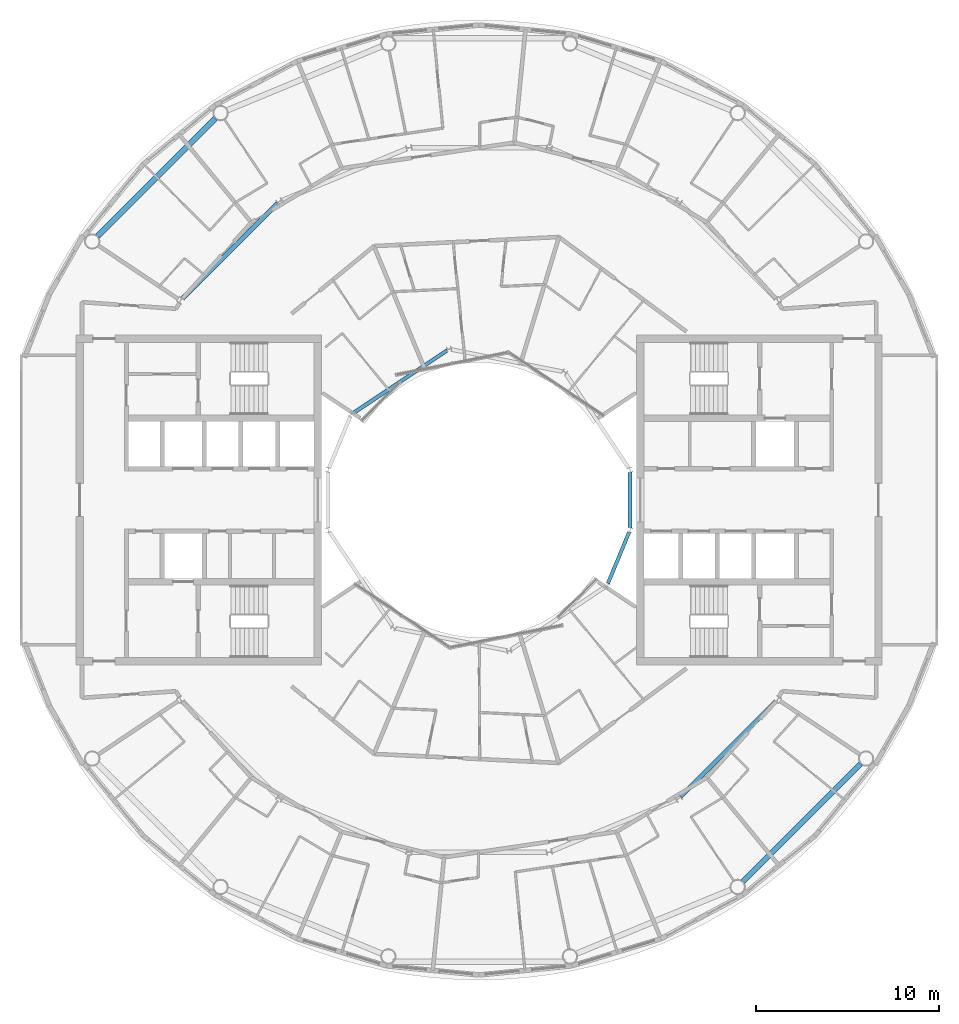
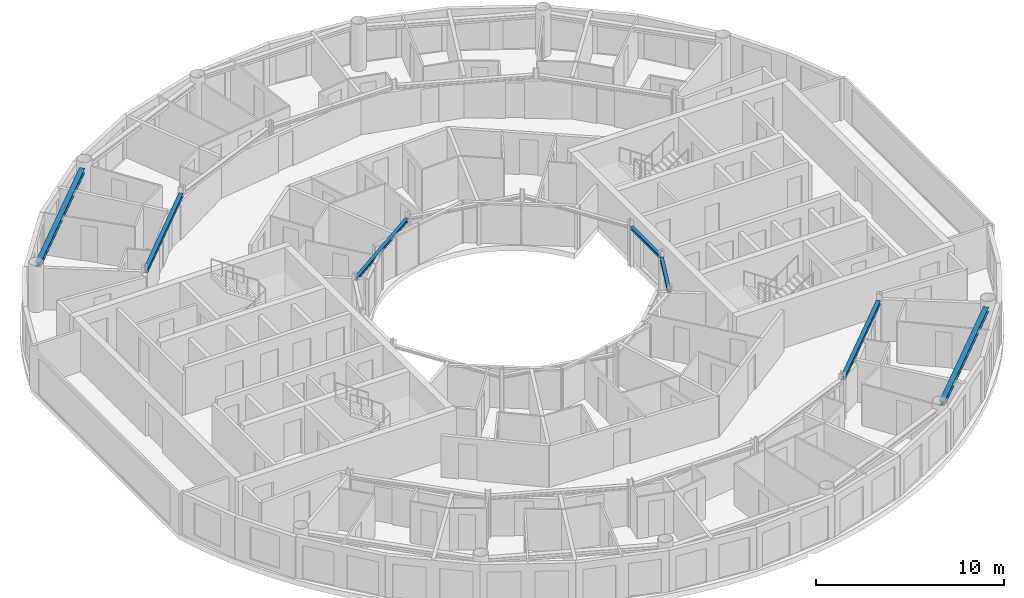
# One storey, part 8 of 22: 7 beams.
"""IFC4 building model written with IfcOpenShell, lengths in metres."""

from ifc_helpers import new_model, si_unit, direction, frame, origin, origin_2d, place, context, subcontext, project, spatial, i_section, extrude, material, material_profile, profile_set, type_object, element, save


model = new_model("IFC4")

# Units and contexts
model_context = context("Model", 3, precision=1e-05, world=origin(), true_north=direction((0.0, 1.0)))
body_context = subcontext(model_context, "Body", "Model", "MODEL_VIEW")
ifc_project = project(units=[si_unit("LENGTHUNIT", "METRE"), si_unit("AREAUNIT", "SQUARE_METRE"), si_unit("VOLUMEUNIT", "CUBIC_METRE"), si_unit("PLANEANGLEUNIT", "RADIAN"), si_unit("MASSUNIT", "GRAM", prefix="KILO")], contexts=[model_context])

# Site, building, storey
site_placement = place(None, origin())
site = spatial("IfcSite", under=ifc_project, at=site_placement, CompositionType="ELEMENT")
building_placement = place(site_placement, origin())
building = spatial("IfcBuilding", under=site, at=building_placement, Name="Maasbend Ring Residences", CompositionType="ELEMENT")
storey_placement = place(building_placement, frame((0.0, 0.0, 237.10009765625)))
storey = spatial("IfcBuildingStorey", under=building, at=storey_placement, Name="L68", CompositionType="ELEMENT", Elevation=237.10009765625)

# Beams
ifc_material_1 = material(Name="Steel S355J2", Category="steel")
ifc_material_profile_1 = material_profile(ifc_material_1, i_section(OverallWidth=0.239990234375, OverallDepth=0.22998046875, WebThickness=0.007568359375, FlangeThickness=0.011962890625, FilletRadius=0.02099609375, at=origin_2d()), Name="HEA 240")
ifc_profile_set_1 = profile_set([ifc_material_profile_1], Name="Steel S355J2")
beam_type_1 = type_object("IfcBeamType", Name="Corridor ring beam HEA 240", PredefinedType="BEAM", material=ifc_profile_set_1)
for number, where, z_axis, x_axis, name in (
    (1, (-10.997314453125, 16.188720703125, 2.5849609375), (-0.707106781187, -0.707106781187, 0.0), (0.707106781187, -0.707106781187, 0.0), "Corridor ring beam"),
    (2, (10.997314453125, -16.188720703125, 2.5849609375), (0.707106781187, 0.707106781187, 0.0), (-0.707106781187, 0.707106781187, 0.0), "Corridor ring beam"),
):
    element("IfcBeam", number, at=place(storey_placement, frame(where, z_axis=z_axis, x_axis=x_axis)), inside=storey, type_object=beam_type_1, Name=name, PredefinedType="BEAM", context=body_context, shape_type="SweptSolid", body=[
        extrude(i_section(OverallWidth=0.239990234375, OverallDepth=0.22998046875, WebThickness=0.007568359375, FlangeThickness=0.011962890625, FilletRadius=0.02099609375, at=origin_2d()), origin(), (0.0, 0.0, 1.0), 7.341796875),
    ])
ifc_material_2 = material(Name="Steel S355J2", Category="steel")
ifc_material_profile_2 = material_profile(ifc_material_2, i_section(OverallWidth=0.300048828125, OverallDepth=0.300048828125, WebThickness=0.010986328125, FlangeThickness=0.01904296875, FilletRadius=0.027099609375, at=origin_2d()), Name="HEB 300")
ifc_profile_set_2 = profile_set([ifc_material_profile_2], Name="Steel S355J2")
beam_type_2 = type_object("IfcBeamType", Name="Spandrel ring beam HEB 300", PredefinedType="SPANDREL", material=ifc_profile_set_2)
for number, where, z_axis, x_axis, name in (
    (3, (-14.39892578125, 20.831787109375, 2.5498046875), (-0.707106781187, -0.707106781187, 0.0), (0.707106781187, -0.707106781187, 0.0), "Spandrel ring beam"),
    (4, (14.39892578125, -20.831787109375, 2.5498046875), (0.707106781187, 0.707106781187, 0.0), (-0.707106781187, 0.707106781187, 0.0), "Spandrel ring beam"),
):
    element("IfcBeam", number, at=place(storey_placement, frame(where, z_axis=z_axis, x_axis=x_axis)), inside=storey, type_object=beam_type_2, Name=name, PredefinedType="SPANDREL", context=body_context, shape_type="SweptSolid", body=[
        extrude(i_section(OverallWidth=0.300048828125, OverallDepth=0.300048828125, WebThickness=0.010986328125, FlangeThickness=0.01904296875, FilletRadius=0.027099609375, at=origin_2d()), origin(), (0.0, 0.0, 1.0), 9.097412109375),
    ])
ifc_material_3 = material(Name="Steel S355J2", Category="steel")
ifc_material_profile_3 = material_profile(ifc_material_3, i_section(OverallWidth=0.199951171875, OverallDepth=0.18994140625, WebThickness=0.006591796875, FlangeThickness=0.010009765625, FilletRadius=0.01806640625, at=origin_2d()), Name="HEA 200")
ifc_profile_set_3 = profile_set([ifc_material_profile_3], Name="Steel S355J2")
beam_type_3 = type_object("IfcBeamType", Name="Well edge beam HEA 200", PredefinedType="BEAM", material=ifc_profile_set_3)
beam_placement = place(storey_placement, frame((-1.7421875, 8.16943359375, 2.60498046875), z_axis=(-0.831484648286, -0.555547729421, 0.0), x_axis=(0.555547729421, -0.831484648286, 0.0)))
element("IfcBeam", 5, at=beam_placement, inside=storey, type_object=beam_type_3, Name="Well edge beam", PredefinedType="BEAM", context=body_context, shape_type="SweptSolid", body=[
    extrude(i_section(OverallWidth=0.199951171875, OverallDepth=0.18994140625, WebThickness=0.006591796875, FlangeThickness=0.010009765625, FilletRadius=0.01806640625, at=origin_2d()), origin(), (0.0, 0.0, 1.0), 6.18017578125),
])
for number, where, z_axis, x_axis, name in (
    (6, (7.029296875, -4.55859375, 2.60498046875), (0.382609241817, 0.923910259753, 0.0), (-0.923910259753, 0.382609241817, 0.0), "Well edge beam"),
    (7, (8.238525390625, -1.521484375, 2.60498046875), (0.0, 1.0, 0.0), (-1.0, 0.0, 0.0), "Well edge beam"),
):
    element("IfcBeam", number, at=place(storey_placement, frame(where, z_axis=z_axis, x_axis=x_axis)), inside=storey, type_object=beam_type_3, Name=name, PredefinedType="BEAM", context=body_context, shape_type="SweptSolid", body=[
        extrude(i_section(OverallWidth=0.199951171875, OverallDepth=0.18994140625, WebThickness=0.006591796875, FlangeThickness=0.010009765625, FilletRadius=0.01806640625, at=origin_2d()), origin(), (0.0, 0.0, 1.0), 3.04296875),
    ])

save(model, "model.ifc")
